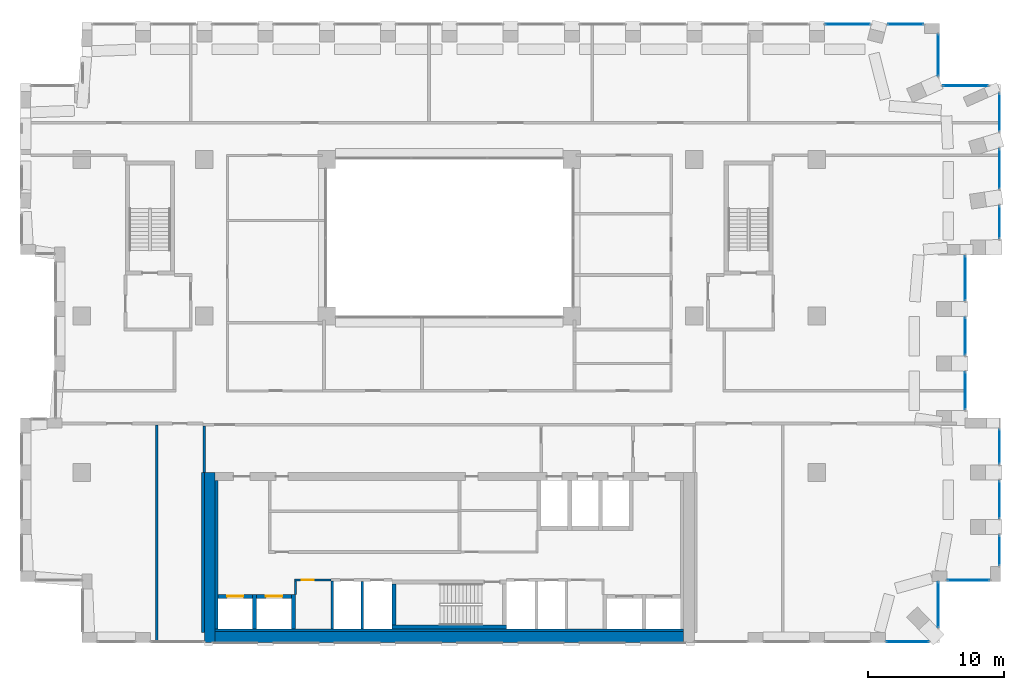
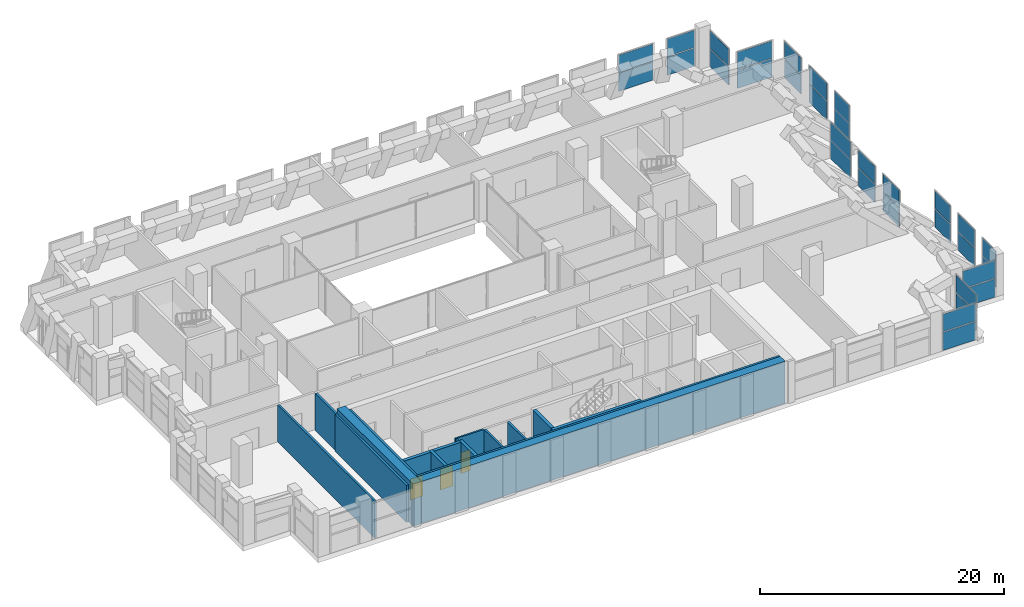
# One storey, part 15 of 20: 32 plates, 17 walls, 3 doors, 3 openings, 16 elements without a shape of their own.
"""IFC4 building model written with IfcOpenShell, lengths in metres."""

import ifcopenshell
import ifcopenshell.guid

model = None  # the IFC model being written
_history = None  # IfcOwnerHistory: only IFC2X3 demands one
_inside = {}  # id of a spatial element -> (the spatial element, [elements in it])
_under = {}  # id of a project, library or spatial element -> (it, [spatial elements below it])
_declared = {}  # id of a project -> (the project, [libraries it declares])
_typed = {}  # id of a type object -> (the type object, [elements of that type])
_made_of = {}  # id of a material, layer set ... -> (it, [elements and type objects made of it])


def new_model(schema):
    """Start an empty IFC model of exactly this schema.

    Asked for "IFC4X3", IfcOpenShell would pick the latest addendum, in which some entities
    have other attributes; the version numbers below select the first issue.
    IFC2X3 requires an IfcOwnerHistory on every rooted entity: one is made here for all.
    """
    global model, _history
    if schema == "IFC4X3":
        model = ifcopenshell.file(schema_version=(4, 3, 0, 0))
    else:
        model = ifcopenshell.file(schema=schema)
    _inside.clear()
    _under.clear()
    _declared.clear()
    _typed.clear()
    _made_of.clear()
    _history = None
    if model.schema == "IFC2X3":
        org = make("IfcOrganization", Name="unknown")
        user = make(
            "IfcPersonAndOrganization",
            ThePerson=make("IfcPerson", FamilyName="unknown"),
            TheOrganization=org,
        )
        app = make(
            "IfcApplication",
            ApplicationDeveloper=org,
            Version="unknown",
            ApplicationFullName="unknown",
            ApplicationIdentifier="unknown",
        )
        _history = make(
            "IfcOwnerHistory",
            OwningUser=user,
            OwningApplication=app,
            ChangeAction="ADDED",
            CreationDate=0,
        )
    return model


def make(cls, **values):
    """One entity of the class cls with the attributes given. An attribute that is None is left unset."""
    return model.create_entity(
        cls, **{name: value for name, value in values.items() if value is not None}
    )


def rooted(cls, **values):
    """An entity with a GlobalId (a new one), such as an element, a storey or a relation."""
    return make(cls, GlobalId=ifcopenshell.guid.new(), OwnerHistory=_history, **values)


def si_unit(unit_type, name, prefix=None):
    """IfcSIUnit, for example si_unit("LENGTHUNIT", "METRE", prefix="MILLI")."""
    return make("IfcSIUnit", UnitType=unit_type, Prefix=prefix, Name=name)


def assignment(units):
    """IfcUnitAssignment: the units of a project."""
    return None if units is None else make("IfcUnitAssignment", Units=units)


def point(xyz):
    """IfcCartesianPoint."""
    return None if xyz is None else make("IfcCartesianPoint", Coordinates=xyz)


def direction(xyz):
    """IfcDirection."""
    return None if xyz is None else make("IfcDirection", DirectionRatios=xyz)


def frame(location, z_axis=None, x_axis=None):
    """IfcAxis2Placement3D, a coordinate frame: its origin and axes. An axis left out is left unset."""
    return make(
        "IfcAxis2Placement3D",
        Location=point(location),
        Axis=direction(z_axis),
        RefDirection=direction(x_axis),
    )


def frame_2d(location, x_axis=None):
    """IfcAxis2Placement2D, a coordinate frame in the plane: its origin and x axis."""
    return make(
        "IfcAxis2Placement2D", Location=point(location), RefDirection=direction(x_axis)
    )


def origin():
    """The frame at (0, 0, 0) with its axes left unset."""
    return frame((0.0, 0.0, 0.0))


def origin_2d():
    """The frame at (0, 0) in the plane with its x axis left unset."""
    return frame_2d((0.0, 0.0))


def place(relative_to, where):
    """IfcLocalPlacement: puts the frame where relative to a parent placement (None: the world)."""
    return make(
        "IfcLocalPlacement", PlacementRelTo=relative_to, RelativePlacement=where
    )


def context(
    kind, dimensions, precision=None, world=None, true_north=None, identifier=None
):
    """IfcGeometricRepresentationContext, for example the 3D "Model" context."""
    return make(
        "IfcGeometricRepresentationContext",
        ContextIdentifier=identifier,
        ContextType=kind,
        CoordinateSpaceDimension=dimensions,
        Precision=precision,
        WorldCoordinateSystem=world,
        TrueNorth=true_north,
    )


def subcontext(parent, identifier, kind, view, scale=None):
    """IfcGeometricRepresentationSubContext, for example "Body" below "Model"."""
    return make(
        "IfcGeometricRepresentationSubContext",
        ContextIdentifier=identifier,
        ContextType=kind,
        ParentContext=parent,
        TargetScale=scale,
        TargetView=view,
    )


def project(units=None, contexts=None):
    """IfcProject with its units and contexts."""
    return rooted(
        "IfcProject",
        Name="project",
        RepresentationContexts=contexts,
        UnitsInContext=assignment(units),
    )


def spatial(cls, under=None, at=None, **own):
    """A site, building, storey or space (cls), placed at a placement, below another one or the project."""
    s = rooted(cls, ObjectPlacement=at, **own)
    if under is not None:
        _under.setdefault(under.id(), (under, []))[1].append(s)
    return s


def profile(cls, at=None, kind="AREA", **sizes):
    """A parametric profile (cls). Its sizes go by their IFC names, for example OverallWidth=200.0."""
    return make(cls, ProfileType=kind, Position=at, **sizes)


def rectangle(**sizes):
    """IfcRectangleProfileDef."""
    return profile("IfcRectangleProfileDef", **sizes)


def extrude(swept, where, along, depth):
    """IfcExtrudedAreaSolid: the profile swept, set in the frame where, extruded along a direction by depth."""
    return make(
        "IfcExtrudedAreaSolid",
        SweptArea=swept,
        Position=where,
        ExtrudedDirection=direction(along),
        Depth=depth,
    )


def shape(context_of_items, identifier, shape_type, items):
    """IfcShapeRepresentation: the items that make up one representation, for example the "Body"."""
    return make(
        "IfcShapeRepresentation",
        ContextOfItems=context_of_items,
        RepresentationIdentifier=identifier,
        RepresentationType=shape_type,
        Items=items,
    )


def material(Name=None, Category=None):
    """IfcMaterial."""
    return make("IfcMaterial", Name=Name, Category=Category)


def layer(
    of_material, thickness, ventilated=None, Name=None, Category=None, Priority=None
):
    """IfcMaterialLayer: one layer of a wall or slab, of a material (None: an air gap)."""
    return make(
        "IfcMaterialLayer",
        Material=of_material,
        LayerThickness=thickness,
        IsVentilated=ventilated,
        Name=Name,
        Category=Category,
        Priority=Priority,
    )


def layer_set(layers, Name=None):
    """IfcMaterialLayerSet."""
    return make("IfcMaterialLayerSet", MaterialLayers=layers, LayerSetName=Name)


def made_of(thing, what):
    """Note that an element or type object is made of a material, layer set ...; save() writes the relation."""
    if what is not None:
        _made_of.setdefault(what.id(), (what, []))[1].append(thing)
    return thing


def type_object(cls, material=None, **own):
    """A type object (cls), such as IfcWallType, which elements share."""
    return made_of(rooted(cls, **own), material)


def element(
    cls,
    number,
    at=None,
    inside=None,
    cuts=None,
    type_object=None,
    material=None,
    context=None,
    identifier="Body",
    shape_type=None,
    held_by="IfcProductDefinitionShape",
    body=None,
    shapes=None,
    **own,
):
    """One element of the class cls, such as IfcWall. Its Tag is "e" and its number.

    at: its placement. inside: the storey or other place that contains it. cuts: it is an
    opening in that element (IfcRelVoidsElement). A single representation is given by context,
    identifier, shape_type and body (its items); several are given by shapes. held_by: the class
    of the entity that holds the representations. save() writes the other relations.
    """
    e = rooted(cls, Tag="e%d" % number, ObjectPlacement=at, **own)
    if body is not None:
        shapes = [shape(context, identifier, shape_type, body)]
    if shapes is not None:
        e.Representation = make(held_by, Representations=shapes)
    if inside is not None:
        _inside.setdefault(inside.id(), (inside, []))[1].append(e)
    if cuts is not None:
        rooted(
            "IfcRelVoidsElement", RelatingBuildingElement=cuts, RelatedOpeningElement=e
        )
    if type_object is not None:
        _typed.setdefault(type_object.id(), (type_object, []))[1].append(e)
    return made_of(e, material)


def fill(opening, filler):
    """IfcRelFillsElement: the door or window that sits in an opening."""
    return rooted(
        "IfcRelFillsElement",
        RelatingOpeningElement=opening,
        RelatedBuildingElement=filler,
    )


def aggregate(whole, parts):
    """IfcRelAggregates: a whole, such as a stair, and the parts it consists of."""
    return rooted("IfcRelAggregates", RelatingObject=whole, RelatedObjects=parts)


def save(model, path):
    """Write the relations noted so far, then the file.

    IfcRelAggregates (storeys below a building ...), IfcRelContainedInSpatialStructure (elements
    in a storey), IfcRelDefinesByType, IfcRelAssociatesMaterial and IfcRelDeclares: one each for
    every whole, place, type object, material and project.
    """
    for whole, parts in _under.values():
        aggregate(whole, parts)
    for where, things in _inside.values():
        rooted(
            "IfcRelContainedInSpatialStructure",
            RelatedElements=things,
            RelatingStructure=where,
        )
    for kind, things in _typed.values():
        rooted("IfcRelDefinesByType", RelatedObjects=things, RelatingType=kind)
    for what, things in _made_of.values():
        rooted("IfcRelAssociatesMaterial", RelatedObjects=things, RelatingMaterial=what)
    for by, libraries in _declared.values():
        rooted("IfcRelDeclares", RelatingContext=by, RelatedDefinitions=libraries)
    model.write(path)


model = new_model("IFC4")

# Units and contexts
model_context = context("Model", 3, precision=1e-05, world=origin(), true_north=direction((0.0, 1.0)))
body_context = subcontext(model_context, "Body", "Model", "MODEL_VIEW")
ifc_project = project(units=[si_unit("LENGTHUNIT", "METRE"), si_unit("AREAUNIT", "SQUARE_METRE"), si_unit("VOLUMEUNIT", "CUBIC_METRE"), si_unit("PLANEANGLEUNIT", "RADIAN"), si_unit("MASSUNIT", "GRAM", prefix="KILO")], contexts=[model_context])

# Site, building, storey
site_placement = place(None, origin())
site = spatial("IfcSite", under=ifc_project, at=site_placement, CompositionType="ELEMENT")
building_placement = place(site_placement, origin())
building = spatial("IfcBuilding", under=site, at=building_placement, Name="Brigalow Station Residences", CompositionType="ELEMENT")
storey_placement = place(building_placement, frame((0.0, 0.0, 137.10009765625)))
storey = spatial("IfcBuildingStorey", under=building, at=storey_placement, Name="L39", CompositionType="ELEMENT", Elevation=137.10009765625)

# Curtain wall, plates
ifc_material_1 = material(Name="Aluminium", Category="aluminium")
ifc_layer_1 = layer(ifc_material_1, 0.199951171875)
ifc_layer_set_1 = layer_set([ifc_layer_1], Name="REFUGE FLOOR LOUVRE CURTAIN WALL")
curtain_wall_type = type_object("IfcCurtainWallType", Name="REFUGE FLOOR LOUVRE CURTAIN WALL", PredefinedType="NOTDEFINED", material=ifc_layer_set_1)
curtain_wall_1_placement = place(storey_placement, origin())
curtain_wall_1 = element("IfcCurtainWall", 1, at=curtain_wall_1_placement, inside=storey, type_object=curtain_wall_type, Name="L39/cw/louvre-W-L39-4-6", PredefinedType="NOTDEFINED")
ifc_material_2 = material(Name="Aluminium louvre blade", Category="aluminium")
ifc_layer_2 = layer(ifc_material_2, 0.070068359375)
ifc_layer_set_2 = layer_set([ifc_layer_2], Name="REFUGE FLOOR LOUVRE PANEL 70")
plate_type = type_object("IfcPlateType", Name="REFUGE FLOOR LOUVRE PANEL 70", PredefinedType="CURTAIN_PANEL", material=ifc_layer_set_2)
plate_1_placement = place(storey_placement, frame((69.67041015625, 0.074951171875, -0.000244140625), z_axis=(0.0, 0.0, 1.0), x_axis=(1.0, 0.0, 0.0)))
plate_1 = element("IfcPlate", 2, at=plate_1_placement, type_object=plate_type, Name="L39/cw/louvre-W-L39-4-6/P00-00", PredefinedType="CURTAIN_PANEL", context=body_context, shape_type="SweptSolid", body=[
    extrude(rectangle(XDim=3.080810546875, YDim=0.070068359375, at=origin_2d()), origin(), (0.0, 0.0, 1.0), 1.81005859375),
])
plate_2_placement = place(storey_placement, frame((69.67041015625, 0.074951171875, 1.889892578125), z_axis=(0.0, 0.0, 1.0), x_axis=(1.0, 0.0, 0.0)))
plate_2 = element("IfcPlate", 3, at=plate_2_placement, type_object=plate_type, Name="L39/cw/louvre-W-L39-4-6/P00-01", PredefinedType="CURTAIN_PANEL", context=body_context, shape_type="SweptSolid", body=[
    extrude(rectangle(XDim=3.080810546875, YDim=0.070068359375, at=origin_2d()), origin(), (0.0, 0.0, 1.0), 1.72998046875),
])
aggregate(curtain_wall_1, [plate_1, plate_2])

curtain_wall_2_placement = place(storey_placement, origin())
curtain_wall_2 = element("IfcCurtainWall", 4, at=curtain_wall_2_placement, inside=storey, type_object=curtain_wall_type, Name="L39/cw/louvre-W-L39-8-7", PredefinedType="NOTDEFINED")
plate_3_placement = place(storey_placement, frame((71.925048828125, 2.780517578125, -0.000244140625), z_axis=(0.0, 0.0, 1.0), x_axis=(0.0, 1.0, 0.0)))
plate_3 = element("IfcPlate", 5, at=plate_3_placement, type_object=plate_type, Name="L39/cw/louvre-W-L39-8-7/P00-00", PredefinedType="CURTAIN_PANEL", context=body_context, shape_type="SweptSolid", body=[
    extrude(rectangle(XDim=3.279296875, YDim=0.070068359375, at=origin_2d()), origin(), (0.0, 0.0, 1.0), 1.81005859375),
])
plate_4_placement = place(storey_placement, frame((71.925048828125, 2.780517578125, 1.889892578125), z_axis=(0.0, 0.0, 1.0), x_axis=(0.0, 1.0, 0.0)))
plate_4 = element("IfcPlate", 6, at=plate_4_placement, type_object=plate_type, Name="L39/cw/louvre-W-L39-8-7/P00-01", PredefinedType="CURTAIN_PANEL", context=body_context, shape_type="SweptSolid", body=[
    extrude(rectangle(XDim=3.279296875, YDim=0.070068359375, at=origin_2d()), origin(), (0.0, 0.0, 1.0), 1.72998046875),
])
aggregate(curtain_wall_2, [plate_3, plate_4])

curtain_wall_3_placement = place(storey_placement, origin())
curtain_wall_3 = element("IfcCurtainWall", 7, at=curtain_wall_3_placement, inside=storey, type_object=curtain_wall_type, Name="L39/cw/louvre-W-L39-9-8", PredefinedType="NOTDEFINED")
plate_5_placement = place(storey_placement, frame((74.14990234375, 4.574951171875, -0.000244140625), z_axis=(0.0, 0.0, 1.0), x_axis=(1.0, 0.0, 0.0)))
plate_5 = element("IfcPlate", 8, at=plate_5_placement, type_object=plate_type, Name="L39/cw/louvre-W-L39-9-8/P00-00", PredefinedType="CURTAIN_PANEL", context=body_context, shape_type="SweptSolid", body=[
    extrude(rectangle(XDim=3.0400390625, YDim=0.070068359375, at=origin_2d()), origin(), (0.0, 0.0, 1.0), 1.81005859375),
])
plate_6_placement = place(storey_placement, frame((74.14990234375, 4.574951171875, 1.889892578125), z_axis=(0.0, 0.0, 1.0), x_axis=(1.0, 0.0, 0.0)))
plate_6 = element("IfcPlate", 9, at=plate_6_placement, type_object=plate_type, Name="L39/cw/louvre-W-L39-9-8/P00-01", PredefinedType="CURTAIN_PANEL", context=body_context, shape_type="SweptSolid", body=[
    extrude(rectangle(XDim=3.0400390625, YDim=0.070068359375, at=origin_2d()), origin(), (0.0, 0.0, 1.0), 1.72998046875),
])
aggregate(curtain_wall_3, [plate_5, plate_6])

curtain_wall_4_placement = place(storey_placement, origin())
curtain_wall_4 = element("IfcCurtainWall", 10, at=curtain_wall_4_placement, inside=storey, type_object=curtain_wall_type, Name="L39/cw/louvre-W-L39-10-9", PredefinedType="NOTDEFINED")
plate_7_placement = place(storey_placement, frame((76.425048828125, 6.764892578125, -0.000244140625), z_axis=(0.0, 0.0, 1.0), x_axis=(0.0, 1.0, 0.0)))
plate_7 = element("IfcPlate", 11, at=plate_7_placement, type_object=plate_type, Name="L39/cw/louvre-W-L39-10-9/P00-00", PredefinedType="CURTAIN_PANEL", context=body_context, shape_type="SweptSolid", body=[
    extrude(rectangle(XDim=2.169921875, YDim=0.070068359375, at=origin_2d()), origin(), (0.0, 0.0, 1.0), 1.81005859375),
])
plate_8_placement = place(storey_placement, frame((76.425048828125, 6.764892578125, 1.889892578125), z_axis=(0.0, 0.0, 1.0), x_axis=(0.0, 1.0, 0.0)))
plate_8 = element("IfcPlate", 12, at=plate_8_placement, type_object=plate_type, Name="L39/cw/louvre-W-L39-10-9/P00-01", PredefinedType="CURTAIN_PANEL", context=body_context, shape_type="SweptSolid", body=[
    extrude(rectangle(XDim=2.169921875, YDim=0.070068359375, at=origin_2d()), origin(), (0.0, 0.0, 1.0), 1.72998046875),
])
aggregate(curtain_wall_4, [plate_7, plate_8])

curtain_wall_5_placement = place(storey_placement, origin())
curtain_wall_5 = element("IfcCurtainWall", 13, at=curtain_wall_5_placement, inside=storey, type_object=curtain_wall_type, Name="L39/cw/louvre-W-L39-10-10", PredefinedType="NOTDEFINED")
plate_9_placement = place(storey_placement, frame((76.425048828125, 10.5, -0.000244140625), z_axis=(0.0, 0.0, 1.0), x_axis=(0.0, 1.0, 0.0)))
plate_9 = element("IfcPlate", 14, at=plate_9_placement, type_object=plate_type, Name="L39/cw/louvre-W-L39-10-10/P00-00", PredefinedType="CURTAIN_PANEL", context=body_context, shape_type="SweptSolid", body=[
    extrude(rectangle(XDim=2.699951171875, YDim=0.070068359375, at=origin_2d()), origin(), (0.0, 0.0, 1.0), 1.81005859375),
])
plate_10_placement = place(storey_placement, frame((76.425048828125, 10.5, 1.889892578125), z_axis=(0.0, 0.0, 1.0), x_axis=(0.0, 1.0, 0.0)))
plate_10 = element("IfcPlate", 15, at=plate_10_placement, type_object=plate_type, Name="L39/cw/louvre-W-L39-10-10/P00-01", PredefinedType="CURTAIN_PANEL", context=body_context, shape_type="SweptSolid", body=[
    extrude(rectangle(XDim=2.699951171875, YDim=0.070068359375, at=origin_2d()), origin(), (0.0, 0.0, 1.0), 1.72998046875),
])
aggregate(curtain_wall_5, [plate_9, plate_10])

curtain_wall_6_placement = place(storey_placement, origin())
curtain_wall_6 = element("IfcCurtainWall", 16, at=curtain_wall_6_placement, inside=storey, type_object=curtain_wall_type, Name="L39/cw/louvre-W-L39-10-11", PredefinedType="NOTDEFINED")
plate_11_placement = place(storey_placement, frame((76.425048828125, 14.398681640625, -0.000244140625), z_axis=(0.0, 0.0, 1.0), x_axis=(0.0, 1.0, 0.0)))
plate_11 = element("IfcPlate", 17, at=plate_11_placement, type_object=plate_type, Name="L39/cw/louvre-W-L39-10-11/P00-00", PredefinedType="CURTAIN_PANEL", context=body_context, shape_type="SweptSolid", body=[
    extrude(rectangle(XDim=2.497314453125, YDim=0.070068359375, at=origin_2d()), origin(), (0.0, 0.0, 1.0), 1.81005859375),
])
plate_12_placement = place(storey_placement, frame((76.425048828125, 14.398681640625, 1.889892578125), z_axis=(0.0, 0.0, 1.0), x_axis=(0.0, 1.0, 0.0)))
plate_12 = element("IfcPlate", 18, at=plate_12_placement, type_object=plate_type, Name="L39/cw/louvre-W-L39-10-11/P00-01", PredefinedType="CURTAIN_PANEL", context=body_context, shape_type="SweptSolid", body=[
    extrude(rectangle(XDim=2.497314453125, YDim=0.070068359375, at=origin_2d()), origin(), (0.0, 0.0, 1.0), 1.72998046875),
])
aggregate(curtain_wall_6, [plate_11, plate_12])

curtain_wall_7_placement = place(storey_placement, origin())
curtain_wall_7 = element("IfcCurtainWall", 19, at=curtain_wall_7_placement, inside=storey, type_object=curtain_wall_type, Name="L39/cw/louvre-W-L39-14-12", PredefinedType="NOTDEFINED")
plate_13_placement = place(storey_placement, frame((73.925048828125, 18.5, -0.000244140625), z_axis=(0.0, 0.0, 1.0), x_axis=(0.0, 1.0, 0.0)))
plate_13 = element("IfcPlate", 20, at=plate_13_placement, type_object=plate_type, Name="L39/cw/louvre-W-L39-14-12/P00-00", PredefinedType="CURTAIN_PANEL", context=body_context, shape_type="SweptSolid", body=[
    extrude(rectangle(XDim=2.699951171875, YDim=0.070068359375, at=origin_2d()), origin(), (0.0, 0.0, 1.0), 1.81005859375),
])
plate_14_placement = place(storey_placement, frame((73.925048828125, 18.5, 1.889892578125), z_axis=(0.0, 0.0, 1.0), x_axis=(0.0, 1.0, 0.0)))
plate_14 = element("IfcPlate", 21, at=plate_14_placement, type_object=plate_type, Name="L39/cw/louvre-W-L39-14-12/P00-01", PredefinedType="CURTAIN_PANEL", context=body_context, shape_type="SweptSolid", body=[
    extrude(rectangle(XDim=2.699951171875, YDim=0.070068359375, at=origin_2d()), origin(), (0.0, 0.0, 1.0), 1.72998046875),
])
aggregate(curtain_wall_7, [plate_13, plate_14])

curtain_wall_8_placement = place(storey_placement, origin())
curtain_wall_8 = element("IfcCurtainWall", 22, at=curtain_wall_8_placement, inside=storey, type_object=curtain_wall_type, Name="L39/cw/louvre-W-L39-14-13", PredefinedType="NOTDEFINED")
plate_15_placement = place(storey_placement, frame((73.925048828125, 22.5, -0.000244140625), z_axis=(0.0, 0.0, 1.0), x_axis=(0.0, 1.0, 0.0)))
plate_15 = element("IfcPlate", 23, at=plate_15_placement, type_object=plate_type, Name="L39/cw/louvre-W-L39-14-13/P00-00", PredefinedType="CURTAIN_PANEL", context=body_context, shape_type="SweptSolid", body=[
    extrude(rectangle(XDim=2.699951171875, YDim=0.070068359375, at=origin_2d()), origin(), (0.0, 0.0, 1.0), 1.81005859375),
])
plate_16_placement = place(storey_placement, frame((73.925048828125, 22.5, 1.889892578125), z_axis=(0.0, 0.0, 1.0), x_axis=(0.0, 1.0, 0.0)))
plate_16 = element("IfcPlate", 24, at=plate_16_placement, type_object=plate_type, Name="L39/cw/louvre-W-L39-14-13/P00-01", PredefinedType="CURTAIN_PANEL", context=body_context, shape_type="SweptSolid", body=[
    extrude(rectangle(XDim=2.699951171875, YDim=0.070068359375, at=origin_2d()), origin(), (0.0, 0.0, 1.0), 1.72998046875),
])
aggregate(curtain_wall_8, [plate_15, plate_16])

curtain_wall_9_placement = place(storey_placement, origin())
curtain_wall_9 = element("IfcCurtainWall", 25, at=curtain_wall_9_placement, inside=storey, type_object=curtain_wall_type, Name="L39/cw/louvre-W-L39-14-14", PredefinedType="NOTDEFINED")
plate_17_placement = place(storey_placement, frame((73.925048828125, 26.7626953125, -0.000244140625), z_axis=(0.0, 0.0, 1.0), x_axis=(0.0, 1.0, 0.0)))
plate_17 = element("IfcPlate", 26, at=plate_17_placement, type_object=plate_type, Name="L39/cw/louvre-W-L39-14-14/P00-00", PredefinedType="CURTAIN_PANEL", context=body_context, shape_type="SweptSolid", body=[
    extrude(rectangle(XDim=3.225341796875, YDim=0.070068359375, at=origin_2d()), origin(), (0.0, 0.0, 1.0), 1.81005859375),
])
plate_18_placement = place(storey_placement, frame((73.925048828125, 26.7626953125, 1.889892578125), z_axis=(0.0, 0.0, 1.0), x_axis=(0.0, 1.0, 0.0)))
plate_18 = element("IfcPlate", 27, at=plate_18_placement, type_object=plate_type, Name="L39/cw/louvre-W-L39-14-14/P00-01", PredefinedType="CURTAIN_PANEL", context=body_context, shape_type="SweptSolid", body=[
    extrude(rectangle(XDim=3.225341796875, YDim=0.070068359375, at=origin_2d()), origin(), (0.0, 0.0, 1.0), 1.72998046875),
])
aggregate(curtain_wall_9, [plate_17, plate_18])

curtain_wall_10_placement = place(storey_placement, origin())
curtain_wall_10 = element("IfcCurtainWall", 28, at=curtain_wall_10_placement, inside=storey, type_object=curtain_wall_type, Name="L39/cw/louvre-W-L39-18-15", PredefinedType="NOTDEFINED")
plate_19_placement = place(storey_placement, frame((76.425048828125, 30.87939453125, -0.000244140625), z_axis=(0.0, 0.0, 1.0), x_axis=(0.0, 1.0, 0.0)))
plate_19 = element("IfcPlate", 29, at=plate_19_placement, type_object=plate_type, Name="L39/cw/louvre-W-L39-18-15/P00-00", PredefinedType="CURTAIN_PANEL", context=body_context, shape_type="SweptSolid", body=[
    extrude(rectangle(XDim=2.35205078125, YDim=0.070068359375, at=origin_2d()), origin(), (0.0, 0.0, 1.0), 1.81005859375),
])
plate_20_placement = place(storey_placement, frame((76.425048828125, 30.87939453125, 1.889892578125), z_axis=(0.0, 0.0, 1.0), x_axis=(0.0, 1.0, 0.0)))
plate_20 = element("IfcPlate", 30, at=plate_20_placement, type_object=plate_type, Name="L39/cw/louvre-W-L39-18-15/P00-01", PredefinedType="CURTAIN_PANEL", context=body_context, shape_type="SweptSolid", body=[
    extrude(rectangle(XDim=2.35205078125, YDim=0.070068359375, at=origin_2d()), origin(), (0.0, 0.0, 1.0), 1.72998046875),
])
aggregate(curtain_wall_10, [plate_19, plate_20])

curtain_wall_11_placement = place(storey_placement, origin())
curtain_wall_11 = element("IfcCurtainWall", 31, at=curtain_wall_11_placement, inside=storey, type_object=curtain_wall_type, Name="L39/cw/louvre-W-L39-18-16", PredefinedType="NOTDEFINED")
plate_21_placement = place(storey_placement, frame((76.425048828125, 34.807861328125, -0.000244140625), z_axis=(0.0, 0.0, 1.0), x_axis=(0.0, 1.0, 0.0)))
plate_21 = element("IfcPlate", 32, at=plate_21_placement, type_object=plate_type, Name="L39/cw/louvre-W-L39-18-16/P00-00", PredefinedType="CURTAIN_PANEL", context=body_context, shape_type="SweptSolid", body=[
    extrude(rectangle(XDim=2.879638671875, YDim=0.070068359375, at=origin_2d()), origin(), (0.0, 0.0, 1.0), 1.81005859375),
])
plate_22_placement = place(storey_placement, frame((76.425048828125, 34.807861328125, 1.889892578125), z_axis=(0.0, 0.0, 1.0), x_axis=(0.0, 1.0, 0.0)))
plate_22 = element("IfcPlate", 33, at=plate_22_placement, type_object=plate_type, Name="L39/cw/louvre-W-L39-18-16/P00-01", PredefinedType="CURTAIN_PANEL", context=body_context, shape_type="SweptSolid", body=[
    extrude(rectangle(XDim=2.879638671875, YDim=0.070068359375, at=origin_2d()), origin(), (0.0, 0.0, 1.0), 1.72998046875),
])
aggregate(curtain_wall_11, [plate_21, plate_22])

curtain_wall_12_placement = place(storey_placement, origin())
curtain_wall_12 = element("IfcCurtainWall", 34, at=curtain_wall_12_placement, inside=storey, type_object=curtain_wall_type, Name="L39/cw/louvre-W-L39-18-17", PredefinedType="NOTDEFINED")
plate_23_placement = place(storey_placement, frame((76.425048828125, 38.96044921875, -0.000244140625), z_axis=(0.0, 0.0, 1.0), x_axis=(0.0, 1.0, 0.0)))
plate_23 = element("IfcPlate", 35, at=plate_23_placement, type_object=plate_type, Name="L39/cw/louvre-W-L39-18-17/P00-00", PredefinedType="CURTAIN_PANEL", context=body_context, shape_type="SweptSolid", body=[
    extrude(rectangle(XDim=2.726318359375, YDim=0.070068359375, at=origin_2d()), origin(), (0.0, 0.0, 1.0), 1.81005859375),
])
plate_24_placement = place(storey_placement, frame((76.425048828125, 38.96044921875, 1.889892578125), z_axis=(0.0, 0.0, 1.0), x_axis=(0.0, 1.0, 0.0)))
plate_24 = element("IfcPlate", 36, at=plate_24_placement, type_object=plate_type, Name="L39/cw/louvre-W-L39-18-17/P00-01", PredefinedType="CURTAIN_PANEL", context=body_context, shape_type="SweptSolid", body=[
    extrude(rectangle(XDim=2.726318359375, YDim=0.070068359375, at=origin_2d()), origin(), (0.0, 0.0, 1.0), 1.72998046875),
])
aggregate(curtain_wall_12, [plate_23, plate_24])

curtain_wall_13_placement = place(storey_placement, origin())
curtain_wall_13 = element("IfcCurtainWall", 37, at=curtain_wall_13_placement, inside=storey, type_object=curtain_wall_type, Name="L39/cw/louvre-W-L39-21-18", PredefinedType="NOTDEFINED")
plate_25_placement = place(storey_placement, frame((73.936279296875, 40.925048828125, -0.000244140625), z_axis=(0.0, 0.0, 1.0), x_axis=(-1.0, 0.0, 0.0)))
plate_25 = element("IfcPlate", 38, at=plate_25_placement, type_object=plate_type, Name="L39/cw/louvre-W-L39-21-18/P00-00", PredefinedType="CURTAIN_PANEL", context=body_context, shape_type="SweptSolid", body=[
    extrude(rectangle(XDim=3.272216796875, YDim=0.070068359375, at=origin_2d()), origin(), (0.0, 0.0, 1.0), 1.81005859375),
])
plate_26_placement = place(storey_placement, frame((73.936279296875, 40.925048828125, 1.889892578125), z_axis=(0.0, 0.0, 1.0), x_axis=(-1.0, 0.0, 0.0)))
plate_26 = element("IfcPlate", 39, at=plate_26_placement, type_object=plate_type, Name="L39/cw/louvre-W-L39-21-18/P00-01", PredefinedType="CURTAIN_PANEL", context=body_context, shape_type="SweptSolid", body=[
    extrude(rectangle(XDim=3.272216796875, YDim=0.070068359375, at=origin_2d()), origin(), (0.0, 0.0, 1.0), 1.72998046875),
])
aggregate(curtain_wall_13, [plate_25, plate_26])

curtain_wall_14_placement = place(storey_placement, origin())
curtain_wall_14 = element("IfcCurtainWall", 40, at=curtain_wall_14_placement, inside=storey, type_object=curtain_wall_type, Name="L39/cw/louvre-W-L39-22-19", PredefinedType="NOTDEFINED")
plate_27_placement = place(storey_placement, frame((71.925048828125, 43.167724609375, -0.000244140625), z_axis=(0.0, 0.0, 1.0), x_axis=(0.0, 1.0, 0.0)))
plate_27 = element("IfcPlate", 41, at=plate_27_placement, type_object=plate_type, Name="L39/cw/louvre-W-L39-22-19/P00-00", PredefinedType="CURTAIN_PANEL", context=body_context, shape_type="SweptSolid", body=[
    extrude(rectangle(XDim=3.00439453125, YDim=0.070068359375, at=origin_2d()), origin(), (0.0, 0.0, 1.0), 1.81005859375),
])
plate_28_placement = place(storey_placement, frame((71.925048828125, 43.167724609375, 1.889892578125), z_axis=(0.0, 0.0, 1.0), x_axis=(0.0, 1.0, 0.0)))
plate_28 = element("IfcPlate", 42, at=plate_28_placement, type_object=plate_type, Name="L39/cw/louvre-W-L39-22-19/P00-01", PredefinedType="CURTAIN_PANEL", context=body_context, shape_type="SweptSolid", body=[
    extrude(rectangle(XDim=3.00439453125, YDim=0.070068359375, at=origin_2d()), origin(), (0.0, 0.0, 1.0), 1.72998046875),
])
aggregate(curtain_wall_14, [plate_27, plate_28])

curtain_wall_15_placement = place(storey_placement, origin())
curtain_wall_15 = element("IfcCurtainWall", 43, at=curtain_wall_15_placement, inside=storey, type_object=curtain_wall_type, Name="L39/cw/louvre-W-L39-23-20", PredefinedType="NOTDEFINED")
plate_29_placement = place(storey_placement, frame((69.531982421875, 45.425048828125, -0.000244140625), z_axis=(0.0, 0.0, 1.0), x_axis=(-1.0, 0.0, 0.0)))
plate_29 = element("IfcPlate", 44, at=plate_29_placement, type_object=plate_type, Name="L39/cw/louvre-W-L39-23-20/P00-00", PredefinedType="CURTAIN_PANEL", context=body_context, shape_type="SweptSolid", body=[
    extrude(rectangle(XDim=2.576171875, YDim=0.070068359375, at=origin_2d()), origin(), (0.0, 0.0, 1.0), 1.81005859375),
])
plate_30_placement = place(storey_placement, frame((69.531982421875, 45.425048828125, 1.889892578125), z_axis=(0.0, 0.0, 1.0), x_axis=(-1.0, 0.0, 0.0)))
plate_30 = element("IfcPlate", 45, at=plate_30_placement, type_object=plate_type, Name="L39/cw/louvre-W-L39-23-20/P00-01", PredefinedType="CURTAIN_PANEL", context=body_context, shape_type="SweptSolid", body=[
    extrude(rectangle(XDim=2.576171875, YDim=0.070068359375, at=origin_2d()), origin(), (0.0, 0.0, 1.0), 1.72998046875),
])
aggregate(curtain_wall_15, [plate_29, plate_30])

curtain_wall_16_placement = place(storey_placement, origin())
curtain_wall_16 = element("IfcCurtainWall", 46, at=curtain_wall_16_placement, inside=storey, type_object=curtain_wall_type, Name="L39/cw/louvre-W-L39-23-21", PredefinedType="NOTDEFINED")
plate_31_placement = place(storey_placement, frame((65.279052734375, 45.425048828125, -0.000244140625), z_axis=(0.0, 0.0, 1.0), x_axis=(-1.0, 0.0, 0.0)))
plate_31 = element("IfcPlate", 47, at=plate_31_placement, type_object=plate_type, Name="L39/cw/louvre-W-L39-23-21/P00-00", PredefinedType="CURTAIN_PANEL", context=body_context, shape_type="SweptSolid", body=[
    extrude(rectangle(XDim=3.258056640625, YDim=0.070068359375, at=origin_2d()), origin(), (0.0, 0.0, 1.0), 1.81005859375),
])
plate_32_placement = place(storey_placement, frame((65.279052734375, 45.425048828125, 1.889892578125), z_axis=(0.0, 0.0, 1.0), x_axis=(-1.0, 0.0, 0.0)))
plate_32 = element("IfcPlate", 48, at=plate_32_placement, type_object=plate_type, Name="L39/cw/louvre-W-L39-23-21/P00-01", PredefinedType="CURTAIN_PANEL", context=body_context, shape_type="SweptSolid", body=[
    extrude(rectangle(XDim=3.258056640625, YDim=0.070068359375, at=origin_2d()), origin(), (0.0, 0.0, 1.0), 1.72998046875),
])
aggregate(curtain_wall_16, [plate_31, plate_32])

# Walls
ifc_material_3 = material(Name="Concrete C65", Category="concrete")
ifc_layer_3 = layer(ifc_material_3, 0.199951171875)
ifc_layer_set_3 = layer_set([ifc_layer_3], Name="CORE SHEAR WALL 200 C65")
wall_type_1 = type_object("IfcWallType", Name="CORE SHEAR WALL 200 C65", PredefinedType="SHEAR", material=ifc_layer_set_3)
wall_1_placement = place(storey_placement, frame((18.89990234375, 1.0, 0.0), z_axis=(0.0, 0.0, 1.0), x_axis=(0.0, 1.0, 0.0)))
element("IfcWall", 49, at=wall_1_placement, inside=storey, type_object=wall_type_1, Name="CORE WALL LIN-W L39", PredefinedType="SHEAR", context=body_context, shape_type="SweptSolid", body=[
    extrude(rectangle(XDim=10.89990234375, YDim=0.199951171875, at=frame_2d((5.449951171875, 0.0))), origin(), (0.0, 0.0, 1.0), 4.199951171875),
])
wall_2_placement = place(storey_placement, frame((18.800048828125, 0.89990234375, 0.0), z_axis=(0.0, 0.0, 1.0), x_axis=(1.0, 0.0, 0.0)))
element("IfcWall", 50, at=wall_2_placement, inside=storey, type_object=wall_type_1, Name="CORE WALL LIN-S L39", PredefinedType="SHEAR", context=body_context, shape_type="SweptSolid", body=[
    extrude(rectangle(XDim=34.39990234375, YDim=0.199951171875, at=frame_2d((17.199951171875, 0.0))), origin(), (0.0, 0.0, 1.0), 4.199951171875),
])

# Wall, opening, door
ifc_material_4 = material(Name="Concrete C65", Category="concrete")
ifc_layer_4 = layer(ifc_material_4, 0.300048828125)
ifc_layer_set_4 = layer_set([ifc_layer_4], Name="CORE SHEAR WALL 300 C65")
wall_type_2 = type_object("IfcWallType", Name="CORE SHEAR WALL 300 C65", PredefinedType="SHEAR", material=ifc_layer_set_4)
wall_3_placement = place(storey_placement, frame((19.0, 3.39990234375, 0.0), z_axis=(0.0, 0.0, 1.0), x_axis=(1.0, 0.0, 0.0)))
wall_3 = element("IfcWall", 51, at=wall_3_placement, inside=storey, type_object=wall_type_2, Name="CORE WALL SH-C1-N L39", PredefinedType="SHEAR", context=body_context, shape_type="SweptSolid", body=[
    extrude(rectangle(XDim=2.550048828125, YDim=0.300048828125, at=frame_2d((1.27490234375, 0.0))), origin(), (0.0, 0.0, 1.0), 4.199951171875),
])
opening_1_placement = place(wall_3_placement, frame((0.675048828125, 0.0, 0.0)))
opening_1 = element("IfcOpeningElement", 52, at=opening_1_placement, cuts=wall_3, Name="Opening LD-LB1", PredefinedType="OPENING", context=body_context, shape_type="SweptSolid", body=[
    extrude(rectangle(XDim=1.199951171875, YDim=2.10009765625, at=frame_2d((0.60009765625, 1.050048828125))), frame((0.0, 0.16015625, 0.0), z_axis=(0.0, -1.0, 0.0), x_axis=(1.0, 0.0, 0.0)), (0.0, 0.0, 1.0), 0.320068359375),
])
ifc_material_5 = material(Name="Stainless steel sliding door leaves", Category="steel")
door_type_1 = type_object("IfcDoorType", Name="LIFT LANDING DOOR 1200 x 2100", OperationType="DOUBLE_DOOR_SLIDING", PredefinedType="DOOR", material=ifc_material_5)
door_1_placement = place(opening_1_placement, origin())
door_1 = element("IfcDoor", 53, at=door_1_placement, inside=storey, type_object=door_type_1, Name="LANDING DOOR LB1", OperationType="DOUBLE_DOOR_SLIDING", OverallHeight=2.10009765625, OverallWidth=1.199951171875, PredefinedType="DOOR", context=body_context, shape_type="SweptSolid", body=[
    extrude(rectangle(XDim=1.199951171875, YDim=2.10009765625, at=frame_2d((0.60009765625, 1.050048828125))), frame((0.0, 0.02490234375, 0.0), z_axis=(0.0, -1.0, 0.0), x_axis=(1.0, 0.0, 0.0)), (0.0, 0.0, 1.0), 0.050048828125),
])
fill(opening_1, door_1)

wall_4_placement = place(storey_placement, frame((21.85009765625, 3.39990234375, 0.0), z_axis=(0.0, 0.0, 1.0), x_axis=(1.0, 0.0, 0.0)))
wall_4 = element("IfcWall", 54, at=wall_4_placement, inside=storey, type_object=wall_type_2, Name="CORE WALL SH-C2-N L39", PredefinedType="SHEAR", context=body_context, shape_type="SweptSolid", body=[
    extrude(rectangle(XDim=2.5498046875, YDim=0.300048828125, at=frame_2d((1.27490234375, 0.0))), origin(), (0.0, 0.0, 1.0), 4.199951171875),
])
opening_2_placement = place(wall_4_placement, frame((0.675048828125, 0.0, 0.0)))
opening_2 = element("IfcOpeningElement", 55, at=opening_2_placement, cuts=wall_4, Name="Opening LD-LB2", PredefinedType="OPENING", context=body_context, shape_type="SweptSolid", body=[
    extrude(rectangle(XDim=1.199951171875, YDim=2.10009765625, at=frame_2d((0.60009765625, 1.050048828125))), frame((0.0, 0.16015625, 0.0), z_axis=(0.0, -1.0, 0.0), x_axis=(1.0, 0.0, 0.0)), (0.0, 0.0, 1.0), 0.320068359375),
])
door_2_placement = place(opening_2_placement, origin())
door_2 = element("IfcDoor", 56, at=door_2_placement, inside=storey, type_object=door_type_1, Name="LANDING DOOR LB2", OperationType="DOUBLE_DOOR_SLIDING", OverallHeight=2.10009765625, OverallWidth=1.199951171875, PredefinedType="DOOR", context=body_context, shape_type="SweptSolid", body=[
    extrude(rectangle(XDim=1.199951171875, YDim=2.10009765625, at=frame_2d((0.60009765625, 1.050048828125))), frame((0.0, 0.02490234375, 0.0), z_axis=(0.0, -1.0, 0.0), x_axis=(1.0, 0.0, 0.0)), (0.0, 0.0, 1.0), 0.050048828125),
])
fill(opening_2, door_2)

# Walls
for number, where, z_axis, x_axis, name in (
    (57, (21.699951171875, 1.0, 0.0), (0.0, 0.0, 1.0), (0.0, 1.0, 0.0), "CORE WALL SH-C2-W L39"),
    (58, (24.550048828125, 1.0, 0.0), (0.0, 0.0, 1.0), (0.0, 1.0, 0.0), "CORE WALL SH-C2-E L39"),
):
    element("IfcWall", number, at=place(storey_placement, frame(where, z_axis=z_axis, x_axis=x_axis)), inside=storey, type_object=wall_type_2, Name=name, PredefinedType="SHEAR", context=body_context, shape_type="SweptSolid", body=[
        extrude(rectangle(XDim=2.550048828125, YDim=0.300048828125, at=frame_2d((1.27490234375, 0.0))), origin(), (0.0, 0.0, 1.0), 4.199951171875),
    ])
wall_5_placement = place(storey_placement, frame((31.800048828125, 1.14990234375, 0.0), z_axis=(0.0, 0.0, 1.0), x_axis=(1.0, 0.0, 0.0)))
element("IfcWall", 59, at=wall_5_placement, inside=storey, type_object=wall_type_2, Name="CORE WALL ST-S2-S L39", PredefinedType="SHEAR", context=body_context, shape_type="SweptSolid", body=[
    extrude(rectangle(XDim=8.39990234375, YDim=0.300048828125, at=frame_2d((4.199951171875, 0.0))), origin(), (0.0, 0.0, 1.0), 4.199951171875),
])
wall_6_placement = place(storey_placement, frame((31.949951171875, 1.300048828125, 0.0), z_axis=(0.0, 0.0, 1.0), x_axis=(0.0, 1.0, 0.0)))
element("IfcWall", 60, at=wall_6_placement, inside=storey, type_object=wall_type_2, Name="CORE WALL ST-S2-W L39", PredefinedType="SHEAR", context=body_context, shape_type="SweptSolid", body=[
    extrude(rectangle(XDim=3.0, YDim=0.300048828125, at=frame_2d((1.5, 0.0))), origin(), (0.0, 0.0, 1.0), 4.199951171875),
])
ifc_material_6 = material(Name="Concrete C65", Category="concrete")
ifc_layer_5 = layer(ifc_material_6, 0.800048828125)
ifc_layer_set_5 = layer_set([ifc_layer_5], Name="CORE SHEAR WALL 800 C65")
wall_type_3 = type_object("IfcWallType", Name="CORE SHEAR WALL 800 C65", PredefinedType="SHEAR", material=ifc_layer_set_5)
wall_7_placement = place(storey_placement, frame((18.39990234375, 0.0, 0.0), z_axis=(0.0, 0.0, 1.0), x_axis=(0.0, 1.0, 0.0)))
element("IfcWall", 61, at=wall_7_placement, inside=storey, type_object=wall_type_3, Name="CORE WALL OUT-W L39", PredefinedType="SHEAR", context=body_context, shape_type="SweptSolid", body=[
    extrude(rectangle(XDim=12.5, YDim=0.800048828125, at=frame_2d((6.25, 0.0))), origin(), (0.0, 0.0, 1.0), 4.199951171875),
])
wall_8_placement = place(storey_placement, frame((18.800048828125, 0.39990234375, 0.0), z_axis=(0.0, 0.0, 1.0), x_axis=(1.0, 0.0, 0.0)))
element("IfcWall", 62, at=wall_8_placement, inside=storey, type_object=wall_type_3, Name="CORE WALL OUT-S L39", PredefinedType="SHEAR", context=body_context, shape_type="SweptSolid", body=[
    extrude(rectangle(XDim=34.39990234375, YDim=0.800048828125, at=frame_2d((17.199951171875, 0.0))), origin(), (0.0, 0.0, 1.0), 4.199951171875),
])
ifc_material_7 = material(Name="Concrete blockwork", Category="masonry")
ifc_layer_6 = layer(ifc_material_7, 0.199951171875)
ifc_layer_set_6 = layer_set([ifc_layer_6], Name="FIRE RATED CORE PARTITION 200")
wall_type_4 = type_object("IfcWallType", Name="FIRE RATED CORE PARTITION 200", PredefinedType="PARTITIONING", material=ifc_layer_set_6)
wall_9_placement = place(storey_placement, frame((27.39990234375, 1.0, 0.0), z_axis=(0.0, 0.0, 1.0), x_axis=(0.0, 1.0, 0.0)))
element("IfcWall", 63, at=wall_9_placement, inside=storey, type_object=wall_type_4, Name="PW-5027", PredefinedType="PARTITIONING", context=body_context, shape_type="SweptSolid", body=[
    extrude(rectangle(XDim=3.52490234375, YDim=0.199951171875, at=frame_2d((1.762451171875, 0.0))), origin(), (0.0, 0.0, 1.0), 3.699951171875),
])
wall_10_placement = place(storey_placement, frame((29.60009765625, 1.0, 0.0), z_axis=(0.0, 0.0, 1.0), x_axis=(0.0, 1.0, 0.0)))
element("IfcWall", 64, at=wall_10_placement, inside=storey, type_object=wall_type_4, Name="PW-5006", PredefinedType="PARTITIONING", context=body_context, shape_type="SweptSolid", body=[
    extrude(rectangle(XDim=3.5, YDim=0.199951171875, at=frame_2d((1.75, 0.0))), origin(), (0.0, 0.0, 1.0), 3.699951171875),
])
wall_11_placement = place(storey_placement, frame((18.0, 12.5, 0.0), z_axis=(0.0, 0.0, 1.0), x_axis=(0.0, 1.0, 0.0)))
element("IfcWall", 65, at=wall_11_placement, inside=storey, type_object=wall_type_4, Name="PW-5013", PredefinedType="PARTITIONING", context=body_context, shape_type="SweptSolid", body=[
    extrude(rectangle(XDim=3.39990234375, YDim=0.199951171875, at=frame_2d((1.699951171875, 0.0))), origin(), (0.0, 0.0, 1.0), 3.699951171875),
])
wall_12_placement = place(storey_placement, frame((14.5, 0.090087890625, 0.0), z_axis=(0.0, 0.0, 1.0), x_axis=(0.0, 1.0, 0.0)))
element("IfcWall", 66, at=wall_12_placement, inside=storey, type_object=wall_type_4, Name="PW-5279", PredefinedType="PARTITIONING", context=body_context, shape_type="SweptSolid", body=[
    extrude(rectangle(XDim=15.909912109375, YDim=0.199951171875, at=frame_2d((7.955078125, 0.0))), origin(), (0.0, 0.0, 1.0), 3.699951171875),
])
wall_13_placement = place(storey_placement, frame((17.89990234375, 0.75, 0.0), z_axis=(0.0, 0.0, 1.0), x_axis=(0.0, 1.0, 0.0)))
element("IfcWall", 67, at=wall_13_placement, inside=storey, type_object=wall_type_4, Name="PW-5280", PredefinedType="PARTITIONING", context=body_context, shape_type="SweptSolid", body=[
    extrude(rectangle(XDim=11.75, YDim=0.199951171875, at=frame_2d((5.875, 0.0))), origin(), (0.0, 0.0, 1.0), 3.699951171875),
])

# Wall, opening, door
ifc_material_8 = material(Name="Plasterboard on steel studs", Category="steel")
ifc_layer_7 = layer(ifc_material_8, 0.14990234375)
ifc_layer_set_7 = layer_set([ifc_layer_7], Name="SERVICE ROOM PARTITION 150")
wall_type_5 = type_object("IfcWallType", Name="SERVICE ROOM PARTITION 150", PredefinedType="PARTITIONING", material=ifc_layer_set_7)
wall_14_placement = place(storey_placement, frame((24.625, 4.60009765625, 0.0), z_axis=(0.0, 0.0, 1.0), x_axis=(1.0, 0.0, 0.0)))
wall_14 = element("IfcWall", 68, at=wall_14_placement, inside=storey, type_object=wall_type_5, Name="PW-5155", PredefinedType="PARTITIONING", context=body_context, shape_type="SweptSolid", body=[
    extrude(rectangle(XDim=2.675048828125, YDim=0.14990234375, at=frame_2d((1.33740234375, 0.0))), origin(), (0.0, 0.0, 1.0), 3.699951171875),
])
opening_3_placement = place(wall_14_placement, frame((0.52490234375, 0.0, 0.0)))
opening_3 = element("IfcOpeningElement", 69, at=opening_3_placement, cuts=wall_14, Name="Opening D-5087", PredefinedType="OPENING", context=body_context, shape_type="SweptSolid", body=[
    extrude(rectangle(XDim=0.89990234375, YDim=2.10009765625, at=frame_2d((0.449951171875, 1.050048828125))), frame((0.0, 0.0849609375, 0.0), z_axis=(0.0, -1.0, 0.0), x_axis=(1.0, 0.0, 0.0)), (0.0, 0.0, 1.0), 0.169921875),
])
ifc_material_9 = material(Name="Steel door leaf in steel frame", Category="steel")
door_type_2 = type_object("IfcDoorType", Name="SERVICE ROOM DOOR 900 x 2100 FD60", OperationType="SINGLE_SWING_LEFT", PredefinedType="DOOR", material=ifc_material_9)
door_3_placement = place(opening_3_placement, frame((0.89990234375, 0.0, 0.0), z_axis=(0.0, 0.0, 1.0), x_axis=(-1.0, 0.0, 0.0)))
door_3 = element("IfcDoor", 70, at=door_3_placement, inside=storey, type_object=door_type_2, Name="D-5087", OperationType="SINGLE_SWING_RIGHT", OverallHeight=2.10009765625, OverallWidth=0.89990234375, PredefinedType="DOOR", context=body_context, shape_type="SweptSolid", body=[
    extrude(rectangle(XDim=0.89990234375, YDim=2.10009765625, at=frame_2d((0.449951171875, 1.050048828125))), frame((0.0, 0.02490234375, 0.0), z_axis=(0.0, -1.0, 0.0), x_axis=(1.0, 0.0, 0.0)), (0.0, 0.0, 1.0), 0.050048828125),
])
fill(opening_3, door_3)

# Wall
wall_15_placement = place(storey_placement, frame((24.699951171875, 3.550048828125, 0.0), z_axis=(0.0, 0.0, 1.0), x_axis=(0.0, 1.0, 0.0)))
element("IfcWall", 71, at=wall_15_placement, inside=storey, type_object=wall_type_5, Name="PW-5157", PredefinedType="PARTITIONING", context=body_context, shape_type="SweptSolid", body=[
    extrude(rectangle(XDim=0.974853515625, YDim=0.14990234375, at=frame_2d((0.4873046875, 0.0))), origin(), (0.0, 0.0, 1.0), 3.699951171875),
])

save(model, "model.ifc")
